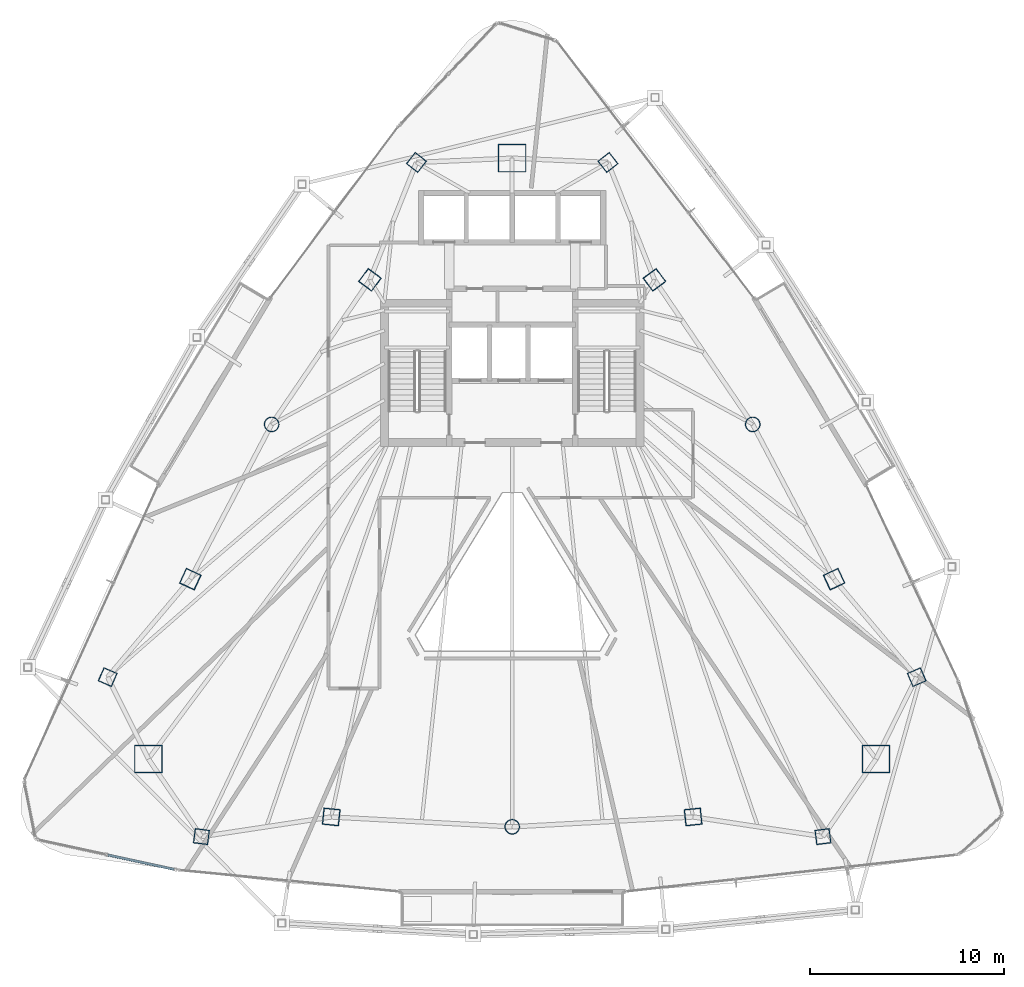
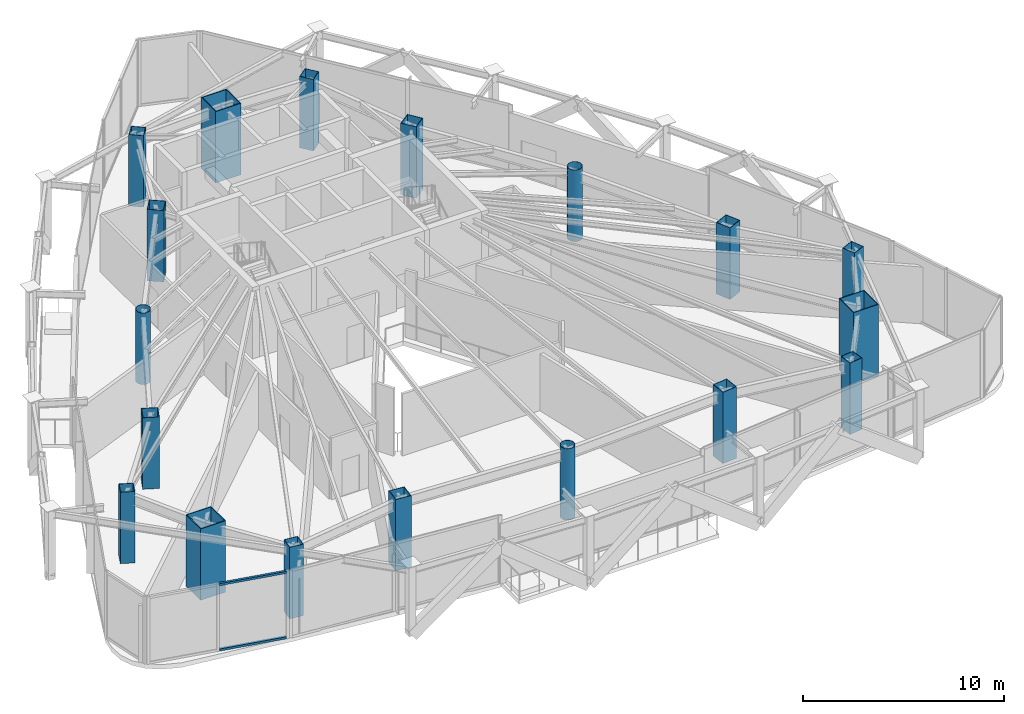
# One storey, part 1 of 28: 18 columns, 2 members, 1 element without a shape of its own.
"""IFC4 building model written with IfcOpenShell, lengths in metres."""

from ifc_helpers import new_model, si_unit, direction, frame, origin, origin_2d, place, context, subcontext, project, spatial, hollow_rectangle, hollow_circle, extrude, material, layer, layer_set, material_profile, profile_set, type_object, element, aggregate, save


model = new_model("IFC4")

# Units and contexts
model_context = context("Model", 3, precision=1e-05, world=origin(), true_north=direction((0.0, 1.0)))
body_context = subcontext(model_context, "Body", "Model", "MODEL_VIEW")
ifc_project = project(units=[si_unit("LENGTHUNIT", "METRE"), si_unit("AREAUNIT", "SQUARE_METRE"), si_unit("VOLUMEUNIT", "CUBIC_METRE"), si_unit("PLANEANGLEUNIT", "RADIAN"), si_unit("MASSUNIT", "GRAM", prefix="KILO")], contexts=[model_context])

# Site, building, storey
site_placement = place(None, origin())
site = spatial("IfcSite", under=ifc_project, at=site_placement, CompositionType="ELEMENT")
building_placement = place(site_placement, origin())
building = spatial("IfcBuilding", under=site, at=building_placement, Name="Orvanel Arch Residences", CompositionType="ELEMENT")
storey_placement = place(building_placement, frame((0.0, 0.0, 146.300048828125)))
storey = spatial("IfcBuildingStorey", under=building, at=storey_placement, Name="L41", CompositionType="ELEMENT", Elevation=146.300048828125)

# Columns
ifc_material_1 = material(Name="Structural steel AS/NZS 1163 C450L0 (Grade 450)", Category="steel")
ifc_material_profile_1 = material_profile(ifc_material_1, hollow_circle(Radius=0.381103515625, WallThickness=0.02197265625, at=origin_2d()), Name="CHS762x22")
ifc_profile_set_1 = profile_set([ifc_material_profile_1], Name="Structural steel AS/NZS 1163 C450L0 (Grade 450)")
column_type_1 = type_object("IfcColumnType", Name="CC-762", PredefinedType="COLUMN", material=ifc_profile_set_1)
for number, where, z_axis, x_axis, name in (
    (1, (20.569091796875, 27.64111328125, 0.0), (0.0, 0.0, 1.0), (1.0, 0.0, 0.0), "L41 High-Rise Tube Column 02"),
    (2, (33.0, 6.843994140625, 0.0), (0.0, 0.0, 1.0), (1.0, 0.0, 0.0), "L41 High-Rise Tube Column 05"),
    (3, (45.430908203125, 27.64111328125, 0.0), (0.0, 0.0, 1.0), (1.0, 0.0, 0.0), "L41 High-Rise Tube Column 08"),
):
    element("IfcColumn", number, at=place(storey_placement, frame(where, z_axis=z_axis, x_axis=x_axis)), inside=storey, type_object=column_type_1, Name=name, PredefinedType="COLUMN", context=body_context, shape_type="SweptSolid", body=[
        extrude(hollow_circle(Radius=0.381103515625, WallThickness=0.02197265625, at=origin_2d()), origin(), (0.0, 0.0, 1.0), 4.349853515625),
    ])
ifc_material_2 = material(Name="Structural steel AS/NZS 3678 Grade 450", Category="steel")
ifc_material_profile_2 = material_profile(ifc_material_2, hollow_rectangle(XDim=1.449951171875, YDim=1.449951171875, WallThickness=0.044921875, at=origin_2d()), Name="BOX1450x1450x45")
ifc_profile_set_2 = profile_set([ifc_material_profile_2], Name="Structural steel AS/NZS 3678 Grade 450")
column_type_2 = type_object("IfcColumnType", Name="MC-1450", PredefinedType="COLUMN", material=ifc_profile_set_2)
for number, where, z_axis, x_axis, name in (
    (4, (33.0, 41.39794921875, 0.0), (0.0, 0.0, 1.0), (1.0, 0.0, 0.0), "L41 Corner Mega-Column 1"),
    (5, (14.198974609375, 10.35107421875, 0.0), (0.0, 0.0, 1.0), (1.0, 0.0, 0.0), "L41 Corner Mega-Column 2"),
    (6, (51.801025390625, 10.35107421875, 0.0), (0.0, 0.0, 1.0), (1.0, 0.0, 0.0), "L41 Corner Mega-Column 3"),
):
    element("IfcColumn", number, at=place(storey_placement, frame(where, z_axis=z_axis, x_axis=x_axis)), inside=storey, type_object=column_type_2, Name=name, PredefinedType="COLUMN", context=body_context, shape_type="SweptSolid", body=[
        extrude(hollow_rectangle(XDim=1.449951171875, YDim=1.449951171875, WallThickness=0.044921875, at=origin_2d()), origin(), (0.0, 0.0, 1.0), 4.349853515625),
    ])
ifc_material_3 = material(Name="Structural steel AS/NZS 3678 Grade 350", Category="steel")
ifc_material_profile_3 = material_profile(ifc_material_3, hollow_rectangle(XDim=0.75, YDim=0.75, WallThickness=0.02490234375, at=origin_2d()), Name="BOX750x750x25")
ifc_profile_set_3 = profile_set([ifc_material_profile_3], Name="Structural steel AS/NZS 3678 Grade 350")
column_type_3 = type_object("IfcColumnType", Name="TC-750", PredefinedType="COLUMN", material=ifc_profile_set_3)
for number, where, z_axis, x_axis, name in (
    (7, (28.050048828125, 41.177978515625, 0.0), (0.0, 0.0, 1.0), (0.623879596709, 0.781520472419, 0.0), "L41 Mid-Rise Buttress Tube Column 01"),
    (8, (12.094970703125, 14.580078125, 0.0), (0.0, 0.0, 1.0), (0.397147890635, 0.917754625684, 0.0), "L41 Mid-Rise Buttress Tube Column 02"),
    (9, (16.94091796875, 6.339111328125, 0.0), (0.0, 0.0, 1.0), (-0.99189444259, 0.127064608601, 0.0), "L41 Mid-Rise Buttress Tube Column 03"),
    (10, (49.05908203125, 6.339111328125, 0.0), (0.0, 0.0, 1.0), (0.99189444259, 0.127064608601, 0.0), "L41 Mid-Rise Buttress Tube Column 04"),
    (11, (53.905029296875, 14.580078125, 0.0), (0.0, 0.0, 1.0), (-0.397147890635, 0.917754625684, 0.0), "L41 Mid-Rise Buttress Tube Column 05"),
    (12, (37.949951171875, 41.177978515625, 0.0), (0.0, 0.0, 1.0), (-0.623879596709, 0.781520472419, 0.0), "L41 Mid-Rise Buttress Tube Column 06"),
):
    element("IfcColumn", number, at=place(storey_placement, frame(where, z_axis=z_axis, x_axis=x_axis)), inside=storey, type_object=column_type_3, Name=name, PredefinedType="COLUMN", context=body_context, shape_type="SweptSolid", body=[
        extrude(hollow_rectangle(XDim=0.75, YDim=0.75, WallThickness=0.02490234375, at=origin_2d()), origin(), (0.0, 0.0, 1.0), 4.349853515625),
    ])
ifc_material_profile_4 = material_profile(ifc_material_3, hollow_rectangle(XDim=0.85009765625, YDim=0.85009765625, WallThickness=0.028076171875, at=origin_2d()), Name="BOX850x850x28")
ifc_profile_set_4 = profile_set([ifc_material_profile_4], Name="Structural steel AS/NZS 3678 Grade 350")
column_type_4 = type_object("IfcColumnType", Name="TC-850", PredefinedType="COLUMN", material=ifc_profile_set_4)
for number, where, z_axis, x_axis, name in (
    (13, (25.64794921875, 35.113037109375, 0.0), (0.0, 0.0, 1.0), (0.600420225326, 0.799684658487, 0.0), "L41 High-Rise Tube Column 01"),
    (14, (16.366943359375, 19.64208984375, 0.0), (0.0, 0.0, 1.0), (0.422618261741, 0.906307787037, 0.0), "L41 High-Rise Tube Column 03"),
    (15, (23.64892578125, 7.35498046875, 0.0), (0.0, 0.0, 1.0), (-0.994880708829, 0.101056297183, 0.0), "L41 High-Rise Tube Column 04"),
    (16, (42.35107421875, 7.35498046875, 0.0), (0.0, 0.0, 1.0), (0.994880708829, 0.101056297183, 0.0), "L41 High-Rise Tube Column 06"),
    (17, (49.633056640625, 19.64208984375, 0.0), (0.0, 0.0, 1.0), (-0.422618261741, 0.906307787037, 0.0), "L41 High-Rise Tube Column 07"),
    (18, (40.35205078125, 35.113037109375, 0.0), (0.0, 0.0, 1.0), (-0.600420225326, 0.799684658487, 0.0), "L41 High-Rise Tube Column 09"),
):
    element("IfcColumn", number, at=place(storey_placement, frame(where, z_axis=z_axis, x_axis=x_axis)), inside=storey, type_object=column_type_4, Name=name, PredefinedType="COLUMN", context=body_context, shape_type="SweptSolid", body=[
        extrude(hollow_rectangle(XDim=0.85009765625, YDim=0.85009765625, WallThickness=0.028076171875, at=origin_2d()), origin(), (0.0, 0.0, 1.0), 4.349853515625),
    ])

# Curtain wall, members
ifc_material_4 = material(Name="Bronze-anodised aluminium AA6063-T6", Category="aluminium")
ifc_layer = layer(ifc_material_4, 0.18994140625)
ifc_layer_set = layer_set([ifc_layer], Name="Bronze-anodised aluminium AA6063-T6")
curtain_wall_type = type_object("IfcCurtainWallType", Name="CW5-CRN-SYS", PredefinedType="NOTDEFINED", material=ifc_layer_set)
curtain_wall_placement = place(storey_placement, origin())
curtain_wall = element("IfcCurtainWall", 19, at=curtain_wall_placement, inside=storey, type_object=curtain_wall_type, Name="L41 CW5-CRN-SYS Unitised Curtain Wall", PredefinedType="NOTDEFINED")
ifc_material_profile_5 = material_profile(ifc_material_4, hollow_rectangle(XDim=0.1298828125, YDim=0.1298828125, WallThickness=0.00439453125, at=origin_2d()), Name="ALU130x130x4.5")
ifc_profile_set_5 = profile_set([ifc_material_profile_5], Name="Bronze-anodised aluminium AA6063-T6")
member_type = type_object("IfcMemberType", Name="TRN-130x130", PredefinedType="USERDEFINED", material=ifc_profile_set_5)
member_1_placement = place(storey_placement, frame((12.106689453125, 5.3916015625, 0.06494140625), z_axis=(0.977215338994, -0.212250279705, 0.0), x_axis=(0.212250279705, 0.977215338994, 0.0)))
member_1 = element("IfcMember", 20, at=member_1_placement, type_object=member_type, Name="CW-S5 transom 2.1", ObjectType="TRANSOM", PredefinedType="USERDEFINED", context=body_context, shape_type="SweptSolid", body=[
    extrude(hollow_rectangle(XDim=0.1298828125, YDim=0.1298828125, WallThickness=0.00439453125, at=origin_2d()), origin(), (0.0, 0.0, 1.0), 3.503662109375),
])
member_2_placement = place(storey_placement, frame((12.106689453125, 5.3916015625, 4.044921875), z_axis=(0.977215338994, -0.212250279705, 0.0), x_axis=(0.212250279705, 0.977215338994, 0.0)))
member_2 = element("IfcMember", 21, at=member_2_placement, type_object=member_type, Name="CW-S5 transom 2.2", ObjectType="TRANSOM", PredefinedType="USERDEFINED", context=body_context, shape_type="SweptSolid", body=[
    extrude(hollow_rectangle(XDim=0.1298828125, YDim=0.1298828125, WallThickness=0.00439453125, at=origin_2d()), origin(), (0.0, 0.0, 1.0), 3.503662109375),
])
aggregate(curtain_wall, [member_1, member_2])

save(model, "model.ifc")
